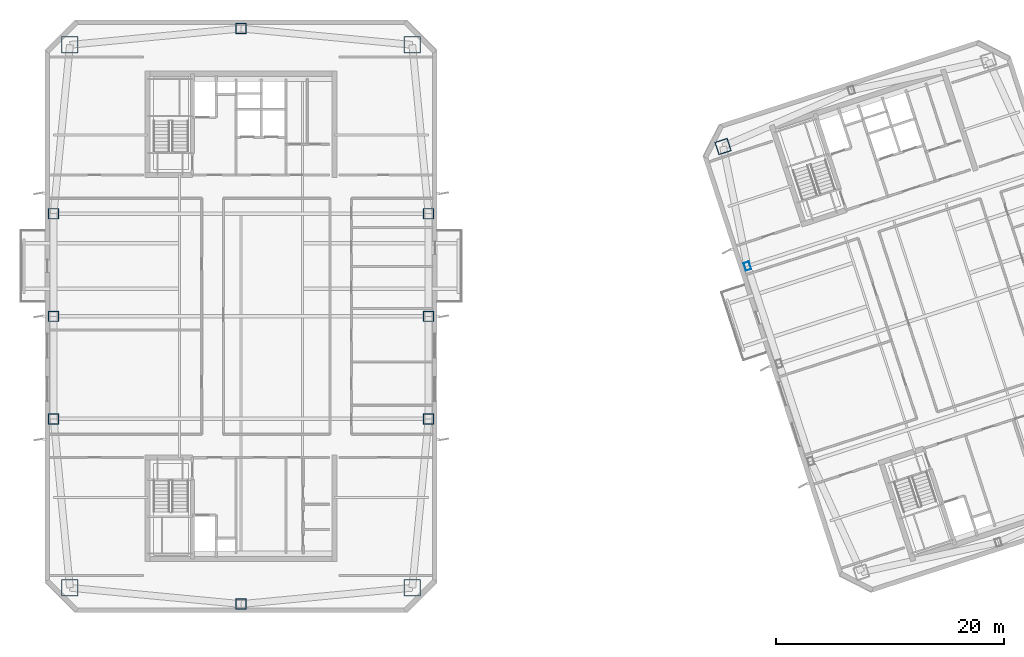
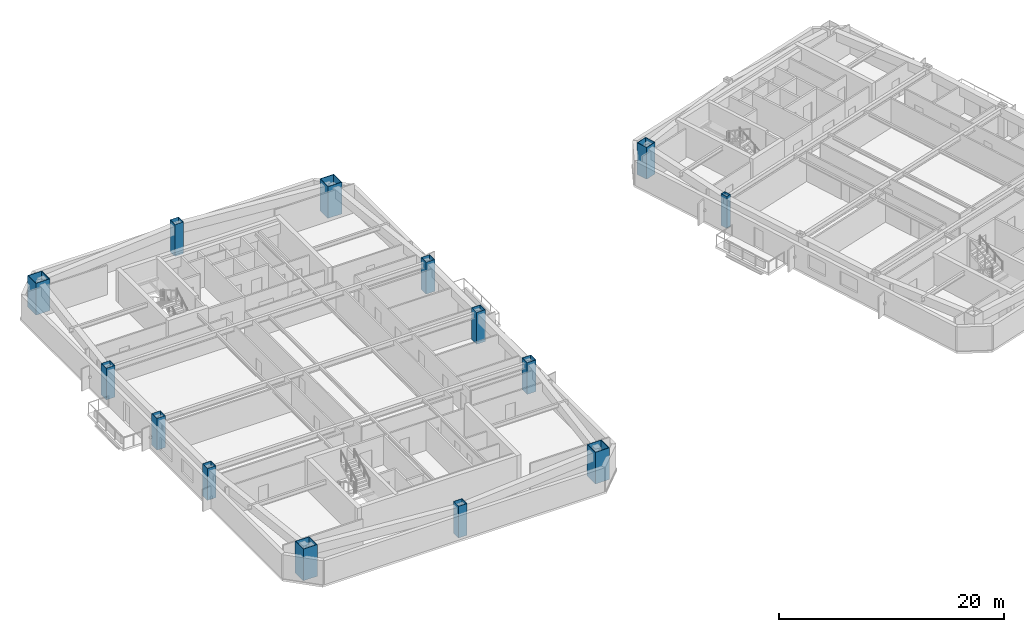
# One storey, part 1 of 17: 14 columns.
"""IFC4 building model written with IfcOpenShell, lengths in metres."""

import ifcopenshell
import ifcopenshell.guid

model = None  # the IFC model being written
_history = None  # IfcOwnerHistory: only IFC2X3 demands one
_inside = {}  # id of a spatial element -> (the spatial element, [elements in it])
_under = {}  # id of a project, library or spatial element -> (it, [spatial elements below it])
_declared = {}  # id of a project -> (the project, [libraries it declares])
_typed = {}  # id of a type object -> (the type object, [elements of that type])
_made_of = {}  # id of a material, layer set ... -> (it, [elements and type objects made of it])


def new_model(schema):
    """Start an empty IFC model of exactly this schema.

    Asked for "IFC4X3", IfcOpenShell would pick the latest addendum, in which some entities
    have other attributes; the version numbers below select the first issue.
    IFC2X3 requires an IfcOwnerHistory on every rooted entity: one is made here for all.
    """
    global model, _history
    if schema == "IFC4X3":
        model = ifcopenshell.file(schema_version=(4, 3, 0, 0))
    else:
        model = ifcopenshell.file(schema=schema)
    _inside.clear()
    _under.clear()
    _declared.clear()
    _typed.clear()
    _made_of.clear()
    _history = None
    if model.schema == "IFC2X3":
        org = make("IfcOrganization", Name="unknown")
        user = make(
            "IfcPersonAndOrganization",
            ThePerson=make("IfcPerson", FamilyName="unknown"),
            TheOrganization=org,
        )
        app = make(
            "IfcApplication",
            ApplicationDeveloper=org,
            Version="unknown",
            ApplicationFullName="unknown",
            ApplicationIdentifier="unknown",
        )
        _history = make(
            "IfcOwnerHistory",
            OwningUser=user,
            OwningApplication=app,
            ChangeAction="ADDED",
            CreationDate=0,
        )
    return model


def make(cls, **values):
    """One entity of the class cls with the attributes given. An attribute that is None is left unset."""
    return model.create_entity(
        cls, **{name: value for name, value in values.items() if value is not None}
    )


def rooted(cls, **values):
    """An entity with a GlobalId (a new one), such as an element, a storey or a relation."""
    return make(cls, GlobalId=ifcopenshell.guid.new(), OwnerHistory=_history, **values)


def si_unit(unit_type, name, prefix=None):
    """IfcSIUnit, for example si_unit("LENGTHUNIT", "METRE", prefix="MILLI")."""
    return make("IfcSIUnit", UnitType=unit_type, Prefix=prefix, Name=name)


def assignment(units):
    """IfcUnitAssignment: the units of a project."""
    return None if units is None else make("IfcUnitAssignment", Units=units)


def point(xyz):
    """IfcCartesianPoint."""
    return None if xyz is None else make("IfcCartesianPoint", Coordinates=xyz)


def direction(xyz):
    """IfcDirection."""
    return None if xyz is None else make("IfcDirection", DirectionRatios=xyz)


def frame(location, z_axis=None, x_axis=None):
    """IfcAxis2Placement3D, a coordinate frame: its origin and axes. An axis left out is left unset."""
    return make(
        "IfcAxis2Placement3D",
        Location=point(location),
        Axis=direction(z_axis),
        RefDirection=direction(x_axis),
    )


def frame_2d(location, x_axis=None):
    """IfcAxis2Placement2D, a coordinate frame in the plane: its origin and x axis."""
    return make(
        "IfcAxis2Placement2D", Location=point(location), RefDirection=direction(x_axis)
    )


def origin():
    """The frame at (0, 0, 0) with its axes left unset."""
    return frame((0.0, 0.0, 0.0))


def origin_2d():
    """The frame at (0, 0) in the plane with its x axis left unset."""
    return frame_2d((0.0, 0.0))


def place(relative_to, where):
    """IfcLocalPlacement: puts the frame where relative to a parent placement (None: the world)."""
    return make(
        "IfcLocalPlacement", PlacementRelTo=relative_to, RelativePlacement=where
    )


def context(
    kind, dimensions, precision=None, world=None, true_north=None, identifier=None
):
    """IfcGeometricRepresentationContext, for example the 3D "Model" context."""
    return make(
        "IfcGeometricRepresentationContext",
        ContextIdentifier=identifier,
        ContextType=kind,
        CoordinateSpaceDimension=dimensions,
        Precision=precision,
        WorldCoordinateSystem=world,
        TrueNorth=true_north,
    )


def subcontext(parent, identifier, kind, view, scale=None):
    """IfcGeometricRepresentationSubContext, for example "Body" below "Model"."""
    return make(
        "IfcGeometricRepresentationSubContext",
        ContextIdentifier=identifier,
        ContextType=kind,
        ParentContext=parent,
        TargetScale=scale,
        TargetView=view,
    )


def project(units=None, contexts=None):
    """IfcProject with its units and contexts."""
    return rooted(
        "IfcProject",
        Name="project",
        RepresentationContexts=contexts,
        UnitsInContext=assignment(units),
    )


def spatial(cls, under=None, at=None, **own):
    """A site, building, storey or space (cls), placed at a placement, below another one or the project."""
    s = rooted(cls, ObjectPlacement=at, **own)
    if under is not None:
        _under.setdefault(under.id(), (under, []))[1].append(s)
    return s


def profile(cls, at=None, kind="AREA", **sizes):
    """A parametric profile (cls). Its sizes go by their IFC names, for example OverallWidth=200.0."""
    return make(cls, ProfileType=kind, Position=at, **sizes)


def hollow_rectangle(**sizes):
    """IfcRectangleHollowProfileDef."""
    return profile("IfcRectangleHollowProfileDef", **sizes)


def extrude(swept, where, along, depth):
    """IfcExtrudedAreaSolid: the profile swept, set in the frame where, extruded along a direction by depth."""
    return make(
        "IfcExtrudedAreaSolid",
        SweptArea=swept,
        Position=where,
        ExtrudedDirection=direction(along),
        Depth=depth,
    )


def shape(context_of_items, identifier, shape_type, items):
    """IfcShapeRepresentation: the items that make up one representation, for example the "Body"."""
    return make(
        "IfcShapeRepresentation",
        ContextOfItems=context_of_items,
        RepresentationIdentifier=identifier,
        RepresentationType=shape_type,
        Items=items,
    )


def material(Name=None, Category=None):
    """IfcMaterial."""
    return make("IfcMaterial", Name=Name, Category=Category)


def material_profile(
    of_material, cross_section, Name=None, Category=None, Priority=None
):
    """IfcMaterialProfile: a cross section and its material."""
    return make(
        "IfcMaterialProfile",
        Name=Name,
        Material=of_material,
        Profile=cross_section,
        Priority=Priority,
        Category=Category,
    )


def profile_set(profiles, Name=None, composite=None):
    """IfcMaterialProfileSet."""
    return make(
        "IfcMaterialProfileSet",
        Name=Name,
        MaterialProfiles=profiles,
        CompositeProfile=composite,
    )


def made_of(thing, what):
    """Note that an element or type object is made of a material, layer set ...; save() writes the relation."""
    if what is not None:
        _made_of.setdefault(what.id(), (what, []))[1].append(thing)
    return thing


def type_object(cls, material=None, **own):
    """A type object (cls), such as IfcWallType, which elements share."""
    return made_of(rooted(cls, **own), material)


def element(
    cls,
    number,
    at=None,
    inside=None,
    cuts=None,
    type_object=None,
    material=None,
    context=None,
    identifier="Body",
    shape_type=None,
    held_by="IfcProductDefinitionShape",
    body=None,
    shapes=None,
    **own,
):
    """One element of the class cls, such as IfcWall. Its Tag is "e" and its number.

    at: its placement. inside: the storey or other place that contains it. cuts: it is an
    opening in that element (IfcRelVoidsElement). A single representation is given by context,
    identifier, shape_type and body (its items); several are given by shapes. held_by: the class
    of the entity that holds the representations. save() writes the other relations.
    """
    e = rooted(cls, Tag="e%d" % number, ObjectPlacement=at, **own)
    if body is not None:
        shapes = [shape(context, identifier, shape_type, body)]
    if shapes is not None:
        e.Representation = make(held_by, Representations=shapes)
    if inside is not None:
        _inside.setdefault(inside.id(), (inside, []))[1].append(e)
    if cuts is not None:
        rooted(
            "IfcRelVoidsElement", RelatingBuildingElement=cuts, RelatedOpeningElement=e
        )
    if type_object is not None:
        _typed.setdefault(type_object.id(), (type_object, []))[1].append(e)
    return made_of(e, material)


def aggregate(whole, parts):
    """IfcRelAggregates: a whole, such as a stair, and the parts it consists of."""
    return rooted("IfcRelAggregates", RelatingObject=whole, RelatedObjects=parts)


def save(model, path):
    """Write the relations noted so far, then the file.

    IfcRelAggregates (storeys below a building ...), IfcRelContainedInSpatialStructure (elements
    in a storey), IfcRelDefinesByType, IfcRelAssociatesMaterial and IfcRelDeclares: one each for
    every whole, place, type object, material and project.
    """
    for whole, parts in _under.values():
        aggregate(whole, parts)
    for where, things in _inside.values():
        rooted(
            "IfcRelContainedInSpatialStructure",
            RelatedElements=things,
            RelatingStructure=where,
        )
    for kind, things in _typed.values():
        rooted("IfcRelDefinesByType", RelatedObjects=things, RelatingType=kind)
    for what, things in _made_of.values():
        rooted("IfcRelAssociatesMaterial", RelatedObjects=things, RelatingMaterial=what)
    for by, libraries in _declared.values():
        rooted("IfcRelDeclares", RelatingContext=by, RelatedDefinitions=libraries)
    model.write(path)


model = new_model("IFC4")

# Units and contexts
model_context = context("Model", 3, precision=1e-05, world=origin(), true_north=direction((0.0, 1.0)))
body_context = subcontext(model_context, "Body", "Model", "MODEL_VIEW")
ifc_project = project(units=[si_unit("LENGTHUNIT", "METRE"), si_unit("AREAUNIT", "SQUARE_METRE"), si_unit("VOLUMEUNIT", "CUBIC_METRE"), si_unit("PLANEANGLEUNIT", "RADIAN"), si_unit("MASSUNIT", "GRAM", prefix="KILO")], contexts=[model_context])

# Site, building, storey
site_placement = place(None, origin())
site = spatial("IfcSite", under=ifc_project, at=site_placement, CompositionType="ELEMENT")
building_placement = place(site_placement, origin())
building = spatial("IfcBuilding", under=site, at=building_placement, Name="Qiaolan Cultural Towers", CompositionType="ELEMENT")
storey_placement = place(building_placement, frame((0.0, 0.0, 205.85009765625)))
storey = spatial("IfcBuildingStorey", under=building, at=storey_placement, Name="L55", CompositionType="ELEMENT", Elevation=205.85009765625)

# Columns
ifc_material_1 = material(Name="Steel Q390GJB", Category="steel")
ifc_material_profile_1 = material_profile(ifc_material_1, hollow_rectangle(XDim=1.14990234375, YDim=1.14990234375, WallThickness=0.0400390625, at=origin_2d()), Name="BOX1150x1150x40")
ifc_profile_set_1 = profile_set([ifc_material_profile_1], Name="Steel Q390GJB")
column_type_1 = type_object("IfcColumnType", Name="COL-BOX1150x1150x40", PredefinedType="COLUMN", material=ifc_profile_set_1)
column_1_placement = place(storey_placement, frame((72.2900390625, 48.896484375, 0.0), z_axis=(0.0, 0.0, 1.0), x_axis=(0.951056516295, 0.309016994375, 0.0)))
element("IfcColumn", 1, at=column_1_placement, inside=storey, type_object=column_type_1, Name="L55 T2 Perimeter Column MC-NW", PredefinedType="COLUMN", context=body_context, shape_type="SweptSolid", body=[
    extrude(hollow_rectangle(XDim=1.14990234375, YDim=1.14990234375, WallThickness=0.0400390625, at=origin_2d()), origin(), (0.0, 0.0, 1.0), 3.450927734375),
])
ifc_material_2 = material(Name="Steel Q420GJB", Category="steel")
ifc_material_profile_2 = material_profile(ifc_material_2, hollow_rectangle(XDim=1.449951171875, YDim=1.449951171875, WallThickness=0.050048828125, at=origin_2d()), Name="BOX1450x1450x50")
ifc_profile_set_2 = profile_set([ifc_material_profile_2], Name="Steel Q420GJB")
column_type_2 = type_object("IfcColumnType", Name="COL-BOX1450x1450x50", PredefinedType="COLUMN", material=ifc_profile_set_2)
for number, where, z_axis, x_axis, name in (
    (2, (14.97998046875, 10.179931640625, 0.0), (0.0, 0.0, 1.0), (1.0, 0.0, 0.0), "L55 T1 Perimeter Column MC-SW"),
    (3, (45.02001953125, 10.179931640625, 0.0), (0.0, 0.0, 1.0), (1.0, 0.0, 0.0), "L55 T1 Perimeter Column MC-SE"),
    (4, (45.02001953125, 57.820068359375, 0.0), (0.0, 0.0, 1.0), (1.0, 0.0, 0.0), "L55 T1 Perimeter Column MC-NE"),
    (5, (14.97998046875, 57.820068359375, 0.0), (0.0, 0.0, 1.0), (1.0, 0.0, 0.0), "L55 T1 Perimeter Column MC-NW"),
):
    element("IfcColumn", number, at=place(storey_placement, frame(where, z_axis=z_axis, x_axis=x_axis)), inside=storey, type_object=column_type_2, Name=name, PredefinedType="COLUMN", context=body_context, shape_type="SweptSolid", body=[
        extrude(hollow_rectangle(XDim=1.449951171875, YDim=1.449951171875, WallThickness=0.050048828125, at=origin_2d()), origin(), (0.0, 0.0, 1.0), 3.450927734375),
    ])
ifc_material_3 = material(Name="Steel Q355B", Category="steel")
ifc_material_profile_3 = material_profile(ifc_material_3, hollow_rectangle(XDim=0.5, YDim=0.699951171875, WallThickness=0.02490234375, at=origin_2d()), Name="BOX700x500x25")
ifc_profile_set_3 = profile_set([ifc_material_profile_3], Name="Steel Q355B")
column_type_3 = type_object("IfcColumnType", Name="COL-BOX700x500x25", PredefinedType="COLUMN", material=ifc_profile_set_3)
column_2_placement = place(storey_placement, frame((74.42724609375, 38.4033203125, 0.0), z_axis=(0.0, 0.0, 1.0), x_axis=(0.951056516295, 0.309016994375, 0.0)))
element("IfcColumn", 6, at=column_2_placement, inside=storey, type_object=column_type_3, Name="L55 T2 Perimeter Column PC-W3", PredefinedType="COLUMN", context=body_context, shape_type="SweptSolid", body=[
    extrude(hollow_rectangle(XDim=0.5, YDim=0.699951171875, WallThickness=0.02490234375, at=origin_2d()), origin(), (0.0, 0.0, 1.0), 3.450927734375),
])
ifc_material_4 = material(Name="Steel Q355B", Category="steel")
ifc_material_profile_4 = material_profile(ifc_material_4, hollow_rectangle(XDim=0.89990234375, YDim=0.89990234375, WallThickness=0.031982421875, at=origin_2d()), Name="BOX900x900x32")
ifc_profile_set_4 = profile_set([ifc_material_profile_4], Name="Steel Q355B")
column_type_4 = type_object("IfcColumnType", Name="COL-BOX900x900x32", PredefinedType="COLUMN", material=ifc_profile_set_4)
for number, where, z_axis, x_axis, name in (
    (7, (13.550048828125, 25.0, 0.0), (0.0, 0.0, 1.0), (1.0, 0.0, 0.0), "L55 T1 Perimeter Column PC-W1"),
    (8, (13.550048828125, 34.0, 0.0), (0.0, 0.0, 1.0), (1.0, 0.0, 0.0), "L55 T1 Perimeter Column PC-W2"),
    (9, (13.550048828125, 43.0, 0.0), (0.0, 0.0, 1.0), (1.0, 0.0, 0.0), "L55 T1 Perimeter Column PC-W3"),
    (10, (46.449951171875, 25.0, 0.0), (0.0, 0.0, 1.0), (1.0, 0.0, 0.0), "L55 T1 Perimeter Column PC-E1"),
    (11, (46.449951171875, 34.0, 0.0), (0.0, 0.0, 1.0), (1.0, 0.0, 0.0), "L55 T1 Perimeter Column PC-E2"),
    (12, (46.449951171875, 43.0, 0.0), (0.0, 0.0, 1.0), (1.0, 0.0, 0.0), "L55 T1 Perimeter Column PC-E3"),
    (13, (30.0, 8.75, 0.0), (0.0, 0.0, 1.0), (1.0, 0.0, 0.0), "L55 T1 Perimeter Column PC-S0"),
    (14, (30.0, 59.25, 0.0), (0.0, 0.0, 1.0), (1.0, 0.0, 0.0), "L55 T1 Perimeter Column PC-N0"),
):
    element("IfcColumn", number, at=place(storey_placement, frame(where, z_axis=z_axis, x_axis=x_axis)), inside=storey, type_object=column_type_4, Name=name, PredefinedType="COLUMN", context=body_context, shape_type="SweptSolid", body=[
        extrude(hollow_rectangle(XDim=0.89990234375, YDim=0.89990234375, WallThickness=0.031982421875, at=origin_2d()), origin(), (0.0, 0.0, 1.0), 3.450927734375),
    ])

save(model, "model.ifc")
